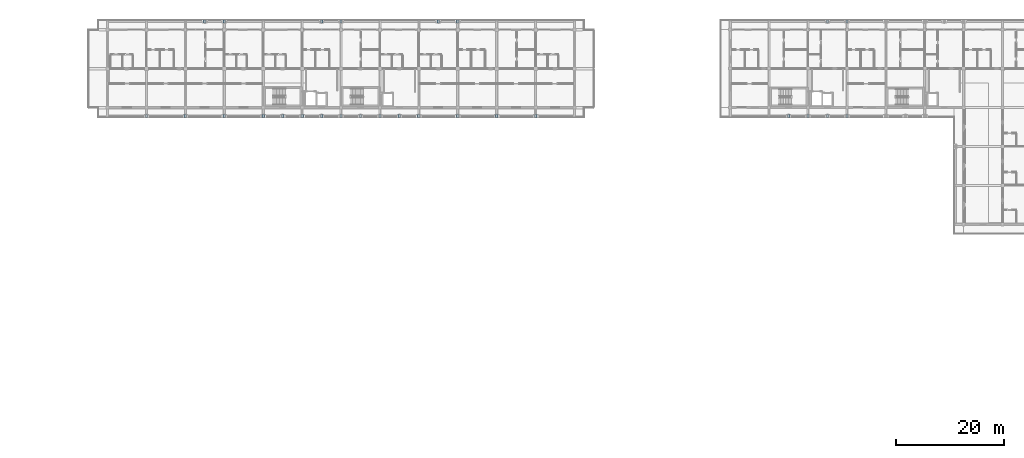
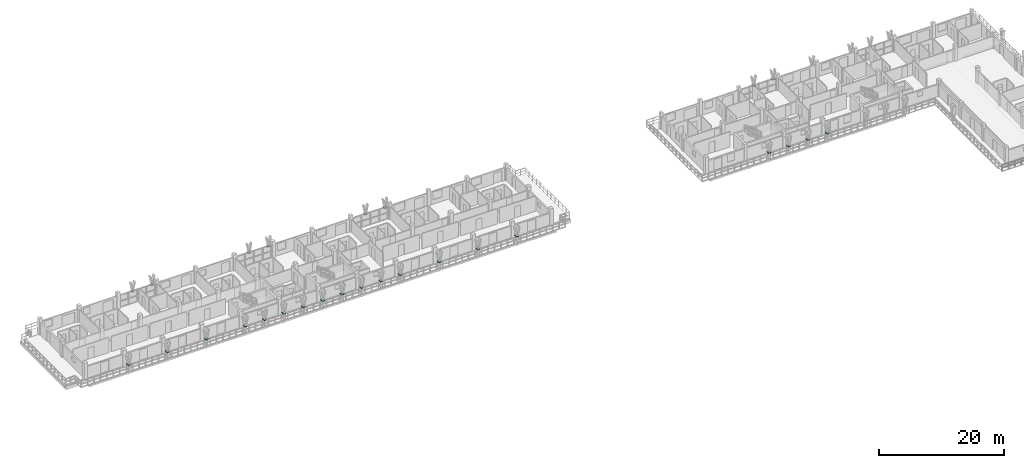
# One storey, part 32 of 65: 27 plates.
"""IFC4 building model written with IfcOpenShell, lengths in metres."""

from ifc_helpers import new_model, si_unit, direction, frame, origin, origin_2d, place, context, subcontext, project, spatial, rectangle, extrude, material, layer, layer_set, type_object, element, save


model = new_model("IFC4")

# Units and contexts
model_context = context("Model", 3, precision=1e-05, world=origin(), true_north=direction((0.0, 1.0)))
body_context = subcontext(model_context, "Body", "Model", "MODEL_VIEW")
ifc_project = project(units=[si_unit("LENGTHUNIT", "METRE"), si_unit("AREAUNIT", "SQUARE_METRE"), si_unit("VOLUMEUNIT", "CUBIC_METRE"), si_unit("PLANEANGLEUNIT", "RADIAN"), si_unit("MASSUNIT", "GRAM", prefix="KILO")], contexts=[model_context])

# Site, building, storey
site_placement = place(None, origin())
site = spatial("IfcSite", under=ifc_project, at=site_placement, CompositionType="ELEMENT")
building_placement = place(site_placement, origin())
building = spatial("IfcBuilding", under=site, at=building_placement, Name="Suanplinth Sawtooth Commons", CompositionType="ELEMENT")
storey_placement = place(building_placement, frame((0.0, 0.0, 28.300048828125)))
storey = spatial("IfcBuildingStorey", under=building, at=storey_placement, Name="L08", CompositionType="ELEMENT", Elevation=28.300048828125)

# Plates
ifc_material = material(Name="Pigmented precast concrete C40/50", Category="concrete")
ifc_layer = layer(ifc_material, 0.06005859375, Name="Precast Y-blade bifurcation node plate 60mm")
ifc_layer_set = layer_set([ifc_layer], Name="Pigmented precast concrete C40/50")
plate_type = type_object("IfcPlateType", Name="PL-04", PredefinedType="USERDEFINED", material=ifc_layer_set)
for number, where, z_axis, x_axis, name in (
    (1, (32.39990234375, 123.919921875, 1.119873046875), (0.0, 0.0, 1.0), (1.0, 0.0, 0.0), "Y-Blade Node Plate L08-A-N-01"),
    (2, (36.0, 123.919921875, 1.119873046875), (0.0, 0.0, 1.0), (1.0, 0.0, 0.0), "Y-Blade Node Plate L08-A-N-02"),
    (3, (54.0, 123.919921875, 1.119873046875), (0.0, 0.0, 1.0), (1.0, 0.0, 0.0), "Y-Blade Node Plate L08-A-N-03"),
    (4, (57.60009765625, 123.919921875, 1.119873046875), (0.0, 0.0, 1.0), (1.0, 0.0, 0.0), "Y-Blade Node Plate L08-A-N-04"),
    (5, (75.60009765625, 123.919921875, 1.119873046875), (0.0, 0.0, 1.0), (1.0, 0.0, 0.0), "Y-Blade Node Plate L08-A-N-05"),
    (6, (79.199951171875, 123.919921875, 1.119873046875), (0.0, 0.0, 1.0), (1.0, 0.0, 0.0), "Y-Blade Node Plate L08-A-N-06"),
    (7, (21.60009765625, 106.47998046875, 1.119873046875), (0.0, 0.0, 1.0), (1.0, 0.0, 0.0), "Y-Blade Node Plate L08-A-S-07"),
    (8, (28.800048828125, 106.47998046875, 1.119873046875), (0.0, 0.0, 1.0), (1.0, 0.0, 0.0), "Y-Blade Node Plate L08-A-S-08"),
    (9, (36.0, 106.47998046875, 1.119873046875), (0.0, 0.0, 1.0), (1.0, 0.0, 0.0), "Y-Blade Node Plate L08-A-S-09"),
    (10, (43.199951171875, 106.47998046875, 1.119873046875), (0.0, 0.0, 1.0), (1.0, 0.0, 0.0), "Y-Blade Node Plate L08-A-S-10"),
    (11, (46.800048828125, 106.47998046875, 1.119873046875), (0.0, 0.0, 1.0), (1.0, 0.0, 0.0), "Y-Blade Node Plate L08-A-S-11"),
    (12, (50.39990234375, 106.47998046875, 1.119873046875), (0.0, 0.0, 1.0), (1.0, 0.0, 0.0), "Y-Blade Node Plate L08-A-S-12"),
    (13, (54.0, 106.47998046875, 1.119873046875), (0.0, 0.0, 1.0), (1.0, 0.0, 0.0), "Y-Blade Node Plate L08-A-S-13"),
    (14, (57.60009765625, 106.47998046875, 1.119873046875), (0.0, 0.0, 1.0), (1.0, 0.0, 0.0), "Y-Blade Node Plate L08-A-S-14"),
    (15, (61.199951171875, 106.47998046875, 1.119873046875), (0.0, 0.0, 1.0), (1.0, 0.0, 0.0), "Y-Blade Node Plate L08-A-S-15"),
    (16, (64.800048828125, 106.47998046875, 1.119873046875), (0.0, 0.0, 1.0), (1.0, 0.0, 0.0), "Y-Blade Node Plate L08-A-S-16"),
    (17, (68.39990234375, 106.47998046875, 1.119873046875), (0.0, 0.0, 1.0), (1.0, 0.0, 0.0), "Y-Blade Node Plate L08-A-S-17"),
    (18, (72.0, 106.47998046875, 1.119873046875), (0.0, 0.0, 1.0), (1.0, 0.0, 0.0), "Y-Blade Node Plate L08-A-S-18"),
    (19, (79.199951171875, 106.47998046875, 1.119873046875), (0.0, 0.0, 1.0), (1.0, 0.0, 0.0), "Y-Blade Node Plate L08-A-S-19"),
    (20, (86.39990234375, 106.47998046875, 1.119873046875), (0.0, 0.0, 1.0), (1.0, 0.0, 0.0), "Y-Blade Node Plate L08-A-S-20"),
    (21, (93.60009765625, 106.47998046875, 1.119873046875), (0.0, 0.0, 1.0), (1.0, 0.0, 0.0), "Y-Blade Node Plate L08-A-S-21"),
    (22, (147.60009765625, 123.919921875, 1.119873046875), (0.0, 0.0, 1.0), (1.0, 0.0, 0.0), "Y-Blade Node Plate L08-B-N-01"),
    (23, (151.199951171875, 123.919921875, 1.119873046875), (0.0, 0.0, 1.0), (1.0, 0.0, 0.0), "Y-Blade Node Plate L08-B-N-02"),
    (24, (140.39990234375, 106.47998046875, 1.119873046875), (0.0, 0.0, 1.0), (1.0, 0.0, 0.0), "Y-Blade Node Plate L08-B-SC-10"),
    (25, (144.0, 106.47998046875, 1.119873046875), (0.0, 0.0, 1.0), (1.0, 0.0, 0.0), "Y-Blade Node Plate L08-B-SC-11"),
    (26, (147.60009765625, 106.47998046875, 1.119873046875), (0.0, 0.0, 1.0), (1.0, 0.0, 0.0), "Y-Blade Node Plate L08-B-SC-12"),
    (27, (151.199951171875, 106.47998046875, 1.119873046875), (0.0, 0.0, 1.0), (1.0, 0.0, 0.0), "Y-Blade Node Plate L08-B-SC-13"),
):
    element("IfcPlate", number, at=place(storey_placement, frame(where, z_axis=z_axis, x_axis=x_axis)), inside=storey, type_object=plate_type, Name=name, ObjectType="GUSSET PLATE", PredefinedType="USERDEFINED", context=body_context, shape_type="SweptSolid", body=[
        extrude(rectangle(XDim=0.43994140625, YDim=0.550048828125, at=origin_2d()), origin(), (0.0, 0.0, 1.0), 0.06005859375),
    ])

save(model, "model.ifc")
